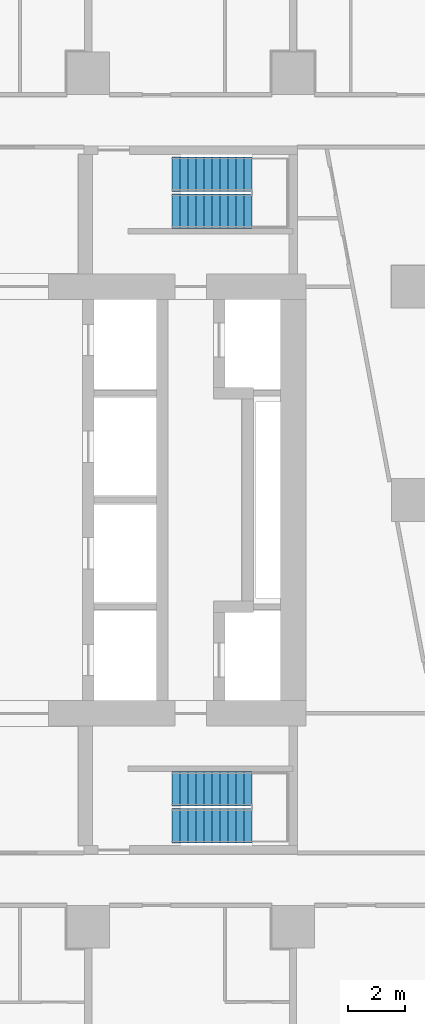
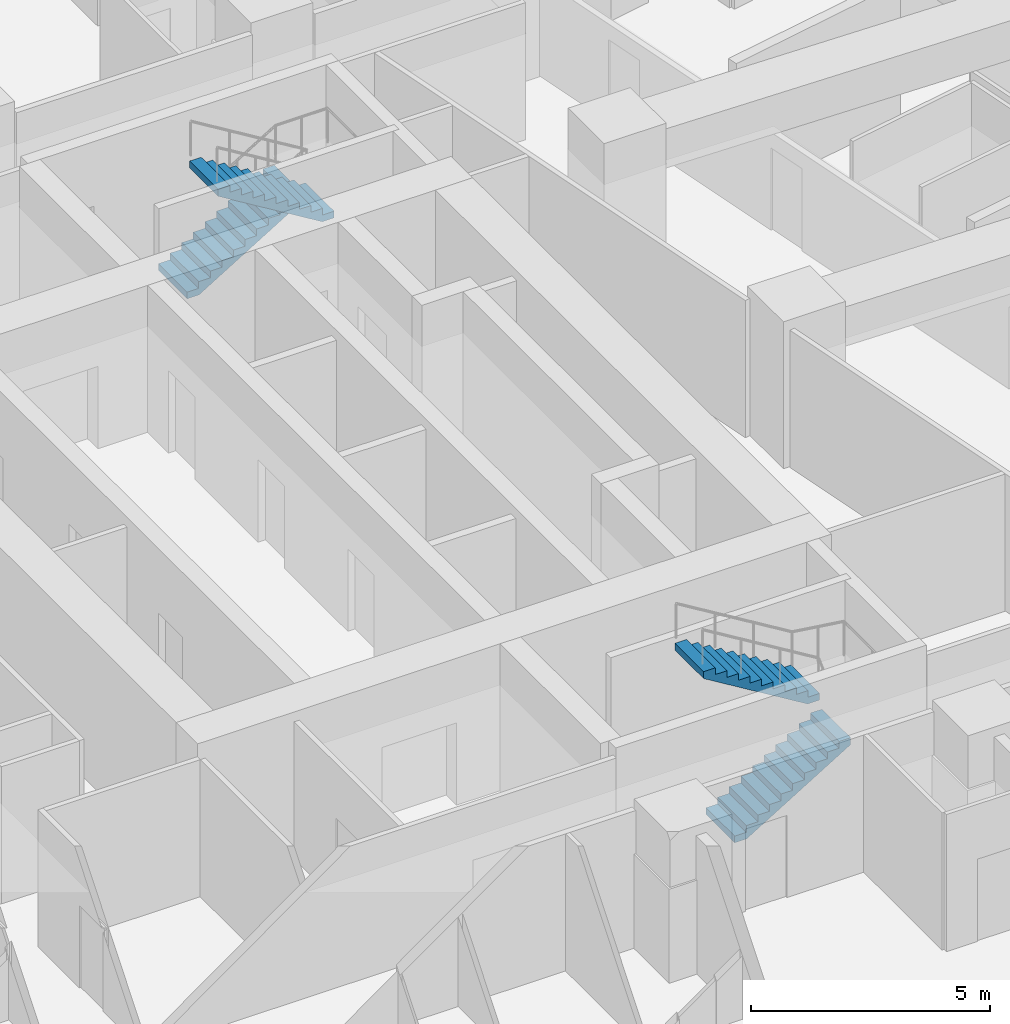
# One storey, part 13 of 15: 4 stair flights, 2 elements without a shape of their own.
"""IFC4 building model written with IfcOpenShell, lengths in metres."""

from ifc_helpers import new_model, si_unit, direction, frame, origin, place, context, subcontext, project, spatial, triangles, material, type_object, element, aggregate, save


model = new_model("IFC4")

# Units and contexts
model_context = context("Model", 3, precision=1e-05, world=origin(), true_north=direction((0.0, 1.0)))
body_context = subcontext(model_context, "Body", "Model", "MODEL_VIEW")
ifc_project = project(units=[si_unit("LENGTHUNIT", "METRE"), si_unit("AREAUNIT", "SQUARE_METRE"), si_unit("VOLUMEUNIT", "CUBIC_METRE"), si_unit("PLANEANGLEUNIT", "RADIAN"), si_unit("MASSUNIT", "GRAM", prefix="KILO")], contexts=[model_context])

# Site, building, storey
site_placement = place(None, origin())
site = spatial("IfcSite", under=ifc_project, at=site_placement, CompositionType="ELEMENT")
building_placement = place(site_placement, origin())
building = spatial("IfcBuilding", under=site, at=building_placement, Name="Sheger Commons Tower", CompositionType="ELEMENT")
storey_placement = place(building_placement, frame((0.0, 0.0, 169.550048828125)))
storey = spatial("IfcBuildingStorey", under=building, at=storey_placement, Name="L43", CompositionType="ELEMENT", Elevation=169.550048828125)

# Stair, stair flights
ifc_material_1 = material(Name="Concrete C35/45", Category="concrete")
stair_type = type_object("IfcStairType", Name="HALF-TURN STAIR 1200 RISE 3750", PredefinedType="HALF_TURN_STAIR", material=ifc_material_1)
stair_1_placement = place(storey_placement, origin())
stair_1 = element("IfcStair", 1, at=stair_1_placement, inside=storey, type_object=stair_type, Name="Stair S1 L43", PredefinedType="HALF_TURN_STAIR")
ifc_material_2 = material(Name="Concrete C35/45", Category="concrete")
stair_flight_type = type_object("IfcStairFlightType", Name="STAIR FLIGHT 1200 11 RISERS OF 170", PredefinedType="STRAIGHT", material=ifc_material_2)
stair_flight_1_placement = place(storey_placement, frame((24.550048828125, 11.050048828125, 0.0), z_axis=(0.0, 0.0, 1.0), x_axis=(1.0, 0.0, 0.0)))
stair_flight_1 = element("IfcStairFlight", 2, at=stair_flight_1_placement, type_object=stair_flight_type, Name="S1 flight 1", NumberOfRisers=11, NumberOfTreads=10, PredefinedType="STRAIGHT", RiserHeight=0.170454545, TreadLength=0.28, context=body_context, shape_type="Tessellation", body=[
    triangles([(0.0, 0.5999755859375, 0.0), (0.0, 0.5999755859375, 0.17041015625), (0.280029296875, 0.5999755859375, 0.17041015625), (0.280029296875, 0.5999755859375, 0.3408203125), (0.56005859375, 0.5999755859375, 0.3408203125), (0.56005859375, 0.5999755859375, 0.511474609375), (0.840087890625, 0.5999755859375, 0.511474609375), (0.840087890625, 0.5999755859375, 0.681884765625), (1.1201171875, 0.5999755859375, 0.681884765625), (1.1201171875, 0.5999755859375, 0.852294921875), (1.39990234375, 0.5999755859375, 0.852294921875), (1.39990234375, 0.5999755859375, 1.022705078125), (1.679931640625, 0.5999755859375, 1.022705078125), (1.679931640625, 0.5999755859375, 1.193115234375), (1.9599609375, 0.5999755859375, 1.193115234375), (1.9599609375, 0.5999755859375, 1.363525390625), (2.239990234375, 0.5999755859375, 1.363525390625), (2.239990234375, 0.5999755859375, 1.5341796875), (2.52001953125, 0.5999755859375, 1.5341796875), (2.52001953125, 0.5999755859375, 1.70458984375), (2.800048828125, 0.5999755859375, 1.70458984375), (2.800048828125, 0.5999755859375, 1.529052734375), (0.288330078125, 0.5999755859375, 0.0), (0.0, -0.5999755859375, 0.0), (0.0, -0.5999755859375, 0.17041015625), (0.280029296875, -0.5999755859375, 0.17041015625), (0.280029296875, -0.5999755859375, 0.3408203125), (0.56005859375, -0.5999755859375, 0.3408203125), (0.56005859375, -0.5999755859375, 0.511474609375), (0.840087890625, -0.5999755859375, 0.511474609375), (0.840087890625, -0.5999755859375, 0.681884765625), (1.1201171875, -0.5999755859375, 0.681884765625), (1.1201171875, -0.5999755859375, 0.852294921875), (1.39990234375, -0.5999755859375, 0.852294921875), (1.39990234375, -0.5999755859375, 1.022705078125), (1.679931640625, -0.5999755859375, 1.022705078125), (1.679931640625, -0.5999755859375, 1.193115234375), (1.9599609375, -0.5999755859375, 1.193115234375), (1.9599609375, -0.5999755859375, 1.363525390625), (2.239990234375, -0.5999755859375, 1.363525390625), (2.239990234375, -0.5999755859375, 1.5341796875), (2.52001953125, -0.5999755859375, 1.5341796875), (2.52001953125, -0.5999755859375, 1.70458984375), (2.800048828125, -0.5999755859375, 1.70458984375), (2.800048828125, -0.5999755859375, 1.529052734375), (0.288330078125, -0.5999755859375, 0.0), (0.0, 0.0, 0.085205078125), (0.1400146484375, 0.0, 0.17041015625), (0.280029296875, 0.0, 0.255615234375), (0.4200439453125, 0.0, 0.3408203125), (0.56005859375, 0.0, 0.4261474609375), (0.7000732421875, 0.0, 0.511474609375), (0.840087890625, 0.0, 0.5966796875), (0.9801025390625, 0.0, 0.681884765625), (1.1201171875, 0.0, 0.76708984375), (1.260009765625, 0.0, 0.852294921875), (1.39990234375, 0.0, 0.9375), (1.5399169921875, 0.0, 1.022705078125), (1.679931640625, 0.0, 1.10791015625), (1.8199462890625, 0.0, 1.193115234375), (1.9599609375, 0.0, 1.2783203125), (2.0999755859375, 0.0, 1.363525390625), (2.239990234375, 0.0, 1.4488525390625), (2.3800048828125, 0.0, 1.5341796875), (2.52001953125, 0.0, 1.619384765625), (2.6600341796875, 0.0, 1.70458984375), (2.800048828125, 0.0, 1.6168212890625), (1.544189453125, 0.0, 0.7645263671875), (0.1441650390625, 0.0, 0.0)], [[1, 22, 23], [24, 46, 45], [22, 20, 21], [45, 44, 43], [22, 19, 20], [45, 43, 42], [22, 18, 19], [45, 42, 41], [22, 17, 18], [45, 41, 40], [17, 15, 16], [40, 39, 38], [22, 15, 17], [45, 40, 38], [15, 13, 14], [38, 37, 36], [22, 13, 15], [45, 38, 36], [13, 11, 12], [36, 35, 34], [22, 11, 13], [45, 36, 34], [11, 9, 10], [34, 33, 32], [22, 9, 11], [45, 34, 32], [9, 7, 8], [32, 31, 30], [22, 7, 9], [45, 32, 30], [7, 5, 6], [30, 29, 28], [22, 5, 7], [45, 30, 28], [5, 3, 4], [28, 27, 26], [22, 3, 5], [45, 28, 26], [1, 3, 22], [24, 45, 26], [3, 1, 2], [26, 25, 24], [1, 47, 2], [2, 47, 25], [25, 47, 24], [24, 47, 1], [2, 48, 3], [3, 48, 26], [26, 48, 25], [25, 48, 2], [3, 49, 4], [4, 49, 27], [27, 49, 26], [26, 49, 3], [4, 50, 5], [5, 50, 28], [28, 50, 27], [27, 50, 4], [5, 51, 6], [6, 51, 29], [29, 51, 28], [28, 51, 5], [6, 52, 7], [7, 52, 30], [30, 52, 29], [29, 52, 6], [7, 53, 8], [8, 53, 31], [31, 53, 30], [30, 53, 7], [8, 54, 9], [9, 54, 32], [32, 54, 31], [31, 54, 8], [9, 55, 10], [10, 55, 33], [33, 55, 32], [32, 55, 9], [10, 56, 11], [11, 56, 34], [34, 56, 33], [33, 56, 10], [11, 57, 12], [12, 57, 35], [35, 57, 34], [34, 57, 11], [12, 58, 13], [13, 58, 36], [36, 58, 35], [35, 58, 12], [13, 59, 14], [14, 59, 37], [37, 59, 36], [36, 59, 13], [14, 60, 15], [15, 60, 38], [38, 60, 37], [37, 60, 14], [15, 61, 16], [16, 61, 39], [39, 61, 38], [38, 61, 15], [16, 62, 17], [17, 62, 40], [40, 62, 39], [39, 62, 16], [17, 63, 18], [18, 63, 41], [41, 63, 40], [40, 63, 17], [18, 64, 19], [19, 64, 42], [42, 64, 41], [41, 64, 18], [19, 65, 20], [20, 65, 43], [43, 65, 42], [42, 65, 19], [20, 66, 21], [21, 66, 44], [44, 66, 43], [43, 66, 20], [21, 67, 22], [22, 67, 45], [45, 67, 44], [44, 67, 21], [22, 68, 23], [23, 68, 46], [46, 68, 45], [45, 68, 22], [23, 69, 1], [1, 69, 24], [24, 69, 46], [46, 69, 23]], closed=True),
])
stair_flight_2_placement = place(storey_placement, frame((27.35009765625, 12.35009765625, 1.875), z_axis=(0.0, 0.0, 1.0), x_axis=(-1.0, 0.0, 0.0)))
stair_flight_2 = element("IfcStairFlight", 3, at=stair_flight_2_placement, type_object=stair_flight_type, Name="S1 flight 2", NumberOfRisers=11, NumberOfTreads=10, PredefinedType="STRAIGHT", RiserHeight=0.170454545, TreadLength=0.28, context=body_context, shape_type="Tessellation", body=[
    triangles([(0.0, 0.5999755859375, 0.0), (0.0, 0.5999755859375, 0.17041015625), (0.280029296875, 0.5999755859375, 0.17041015625), (0.280029296875, 0.5999755859375, 0.3408203125), (0.56005859375, 0.5999755859375, 0.3408203125), (0.56005859375, 0.5999755859375, 0.511474609375), (0.840087890625, 0.5999755859375, 0.511474609375), (0.840087890625, 0.5999755859375, 0.681884765625), (1.1201171875, 0.5999755859375, 0.681884765625), (1.1201171875, 0.5999755859375, 0.852294921875), (1.39990234375, 0.5999755859375, 0.852294921875), (1.39990234375, 0.5999755859375, 1.022705078125), (1.679931640625, 0.5999755859375, 1.022705078125), (1.679931640625, 0.5999755859375, 1.193115234375), (1.9599609375, 0.5999755859375, 1.193115234375), (1.9599609375, 0.5999755859375, 1.363525390625), (2.239990234375, 0.5999755859375, 1.363525390625), (2.239990234375, 0.5999755859375, 1.5341796875), (2.52001953125, 0.5999755859375, 1.5341796875), (2.52001953125, 0.5999755859375, 1.70458984375), (2.800048828125, 0.5999755859375, 1.70458984375), (2.800048828125, 0.5999755859375, 1.529052734375), (0.288330078125, 0.5999755859375, 0.0), (0.0, -0.5999755859375, 0.0), (0.0, -0.5999755859375, 0.17041015625), (0.280029296875, -0.5999755859375, 0.17041015625), (0.280029296875, -0.5999755859375, 0.3408203125), (0.56005859375, -0.5999755859375, 0.3408203125), (0.56005859375, -0.5999755859375, 0.511474609375), (0.840087890625, -0.5999755859375, 0.511474609375), (0.840087890625, -0.5999755859375, 0.681884765625), (1.1201171875, -0.5999755859375, 0.681884765625), (1.1201171875, -0.5999755859375, 0.852294921875), (1.39990234375, -0.5999755859375, 0.852294921875), (1.39990234375, -0.5999755859375, 1.022705078125), (1.679931640625, -0.5999755859375, 1.022705078125), (1.679931640625, -0.5999755859375, 1.193115234375), (1.9599609375, -0.5999755859375, 1.193115234375), (1.9599609375, -0.5999755859375, 1.363525390625), (2.239990234375, -0.5999755859375, 1.363525390625), (2.239990234375, -0.5999755859375, 1.5341796875), (2.52001953125, -0.5999755859375, 1.5341796875), (2.52001953125, -0.5999755859375, 1.70458984375), (2.800048828125, -0.5999755859375, 1.70458984375), (2.800048828125, -0.5999755859375, 1.529052734375), (0.288330078125, -0.5999755859375, 0.0), (0.0, 0.0, 0.085205078125), (0.1400146484375, 0.0, 0.17041015625), (0.280029296875, 0.0, 0.255615234375), (0.4200439453125, 0.0, 0.3408203125), (0.56005859375, 0.0, 0.4261474609375), (0.7000732421875, 0.0, 0.511474609375), (0.840087890625, 0.0, 0.5966796875), (0.9801025390625, 0.0, 0.681884765625), (1.1201171875, 0.0, 0.76708984375), (1.260009765625, 0.0, 0.852294921875), (1.39990234375, 0.0, 0.9375), (1.5399169921875, 0.0, 1.022705078125), (1.679931640625, 0.0, 1.10791015625), (1.8199462890625, 0.0, 1.193115234375), (1.9599609375, 0.0, 1.2783203125), (2.0999755859375, 0.0, 1.363525390625), (2.239990234375, 0.0, 1.4488525390625), (2.3800048828125, 0.0, 1.5341796875), (2.52001953125, 0.0, 1.619384765625), (2.6600341796875, 0.0, 1.70458984375), (2.800048828125, 0.0, 1.6168212890625), (1.544189453125, 0.0, 0.7645263671875), (0.1441650390625, 0.0, 0.0)], [[1, 22, 23], [24, 46, 45], [22, 20, 21], [45, 44, 43], [22, 19, 20], [45, 43, 42], [22, 18, 19], [45, 42, 41], [22, 17, 18], [45, 41, 40], [17, 15, 16], [40, 39, 38], [22, 15, 17], [45, 40, 38], [15, 13, 14], [38, 37, 36], [22, 13, 15], [45, 38, 36], [13, 11, 12], [36, 35, 34], [22, 11, 13], [45, 36, 34], [11, 9, 10], [34, 33, 32], [22, 9, 11], [45, 34, 32], [9, 7, 8], [32, 31, 30], [22, 7, 9], [45, 32, 30], [7, 5, 6], [30, 29, 28], [22, 5, 7], [45, 30, 28], [5, 3, 4], [28, 27, 26], [22, 3, 5], [45, 28, 26], [1, 3, 22], [24, 45, 26], [3, 1, 2], [26, 25, 24], [1, 47, 2], [2, 47, 25], [25, 47, 24], [24, 47, 1], [2, 48, 3], [3, 48, 26], [26, 48, 25], [25, 48, 2], [3, 49, 4], [4, 49, 27], [27, 49, 26], [26, 49, 3], [4, 50, 5], [5, 50, 28], [28, 50, 27], [27, 50, 4], [5, 51, 6], [6, 51, 29], [29, 51, 28], [28, 51, 5], [6, 52, 7], [7, 52, 30], [30, 52, 29], [29, 52, 6], [7, 53, 8], [8, 53, 31], [31, 53, 30], [30, 53, 7], [8, 54, 9], [9, 54, 32], [32, 54, 31], [31, 54, 8], [9, 55, 10], [10, 55, 33], [33, 55, 32], [32, 55, 9], [10, 56, 11], [11, 56, 34], [34, 56, 33], [33, 56, 10], [11, 57, 12], [12, 57, 35], [35, 57, 34], [34, 57, 11], [12, 58, 13], [13, 58, 36], [36, 58, 35], [35, 58, 12], [13, 59, 14], [14, 59, 37], [37, 59, 36], [36, 59, 13], [14, 60, 15], [15, 60, 38], [38, 60, 37], [37, 60, 14], [15, 61, 16], [16, 61, 39], [39, 61, 38], [38, 61, 15], [16, 62, 17], [17, 62, 40], [40, 62, 39], [39, 62, 16], [17, 63, 18], [18, 63, 41], [41, 63, 40], [40, 63, 17], [18, 64, 19], [19, 64, 42], [42, 64, 41], [41, 64, 18], [19, 65, 20], [20, 65, 43], [43, 65, 42], [42, 65, 19], [20, 66, 21], [21, 66, 44], [44, 66, 43], [43, 66, 20], [21, 67, 22], [22, 67, 45], [45, 67, 44], [44, 67, 21], [22, 68, 23], [23, 68, 46], [46, 68, 45], [45, 68, 22], [23, 69, 1], [1, 69, 24], [24, 69, 46], [46, 69, 23]], closed=True),
])
aggregate(stair_1, [stair_flight_1, stair_flight_2])

stair_2_placement = place(storey_placement, origin())
stair_2 = element("IfcStair", 4, at=stair_2_placement, inside=storey, type_object=stair_type, Name="Stair S2 L43", PredefinedType="HALF_TURN_STAIR")
stair_flight_3_placement = place(storey_placement, frame((24.550048828125, 33.949951171875, 0.0), z_axis=(0.0, 0.0, 1.0), x_axis=(1.0, 0.0, 0.0)))
stair_flight_3 = element("IfcStairFlight", 5, at=stair_flight_3_placement, type_object=stair_flight_type, Name="S2 flight 1", NumberOfRisers=11, NumberOfTreads=10, PredefinedType="STRAIGHT", RiserHeight=0.170454545, TreadLength=0.28, context=body_context, shape_type="Tessellation", body=[
    triangles([(0.0, 0.5999755859375, 0.0), (0.0, 0.5999755859375, 0.17041015625), (0.280029296875, 0.5999755859375, 0.17041015625), (0.280029296875, 0.5999755859375, 0.3408203125), (0.56005859375, 0.5999755859375, 0.3408203125), (0.56005859375, 0.5999755859375, 0.511474609375), (0.840087890625, 0.5999755859375, 0.511474609375), (0.840087890625, 0.5999755859375, 0.681884765625), (1.1201171875, 0.5999755859375, 0.681884765625), (1.1201171875, 0.5999755859375, 0.852294921875), (1.39990234375, 0.5999755859375, 0.852294921875), (1.39990234375, 0.5999755859375, 1.022705078125), (1.679931640625, 0.5999755859375, 1.022705078125), (1.679931640625, 0.5999755859375, 1.193115234375), (1.9599609375, 0.5999755859375, 1.193115234375), (1.9599609375, 0.5999755859375, 1.363525390625), (2.239990234375, 0.5999755859375, 1.363525390625), (2.239990234375, 0.5999755859375, 1.5341796875), (2.52001953125, 0.5999755859375, 1.5341796875), (2.52001953125, 0.5999755859375, 1.70458984375), (2.800048828125, 0.5999755859375, 1.70458984375), (2.800048828125, 0.5999755859375, 1.529052734375), (0.288330078125, 0.5999755859375, 0.0), (0.0, -0.5999755859375, 0.0), (0.0, -0.5999755859375, 0.17041015625), (0.280029296875, -0.5999755859375, 0.17041015625), (0.280029296875, -0.5999755859375, 0.3408203125), (0.56005859375, -0.5999755859375, 0.3408203125), (0.56005859375, -0.5999755859375, 0.511474609375), (0.840087890625, -0.5999755859375, 0.511474609375), (0.840087890625, -0.5999755859375, 0.681884765625), (1.1201171875, -0.5999755859375, 0.681884765625), (1.1201171875, -0.5999755859375, 0.852294921875), (1.39990234375, -0.5999755859375, 0.852294921875), (1.39990234375, -0.5999755859375, 1.022705078125), (1.679931640625, -0.5999755859375, 1.022705078125), (1.679931640625, -0.5999755859375, 1.193115234375), (1.9599609375, -0.5999755859375, 1.193115234375), (1.9599609375, -0.5999755859375, 1.363525390625), (2.239990234375, -0.5999755859375, 1.363525390625), (2.239990234375, -0.5999755859375, 1.5341796875), (2.52001953125, -0.5999755859375, 1.5341796875), (2.52001953125, -0.5999755859375, 1.70458984375), (2.800048828125, -0.5999755859375, 1.70458984375), (2.800048828125, -0.5999755859375, 1.529052734375), (0.288330078125, -0.5999755859375, 0.0), (0.0, 0.0, 0.085205078125), (0.1400146484375, 0.0, 0.17041015625), (0.280029296875, 0.0, 0.255615234375), (0.4200439453125, 0.0, 0.3408203125), (0.56005859375, 0.0, 0.4261474609375), (0.7000732421875, 0.0, 0.511474609375), (0.840087890625, 0.0, 0.5966796875), (0.9801025390625, 0.0, 0.681884765625), (1.1201171875, 0.0, 0.76708984375), (1.260009765625, 0.0, 0.852294921875), (1.39990234375, 0.0, 0.9375), (1.5399169921875, 0.0, 1.022705078125), (1.679931640625, 0.0, 1.10791015625), (1.8199462890625, 0.0, 1.193115234375), (1.9599609375, 0.0, 1.2783203125), (2.0999755859375, 0.0, 1.363525390625), (2.239990234375, 0.0, 1.4488525390625), (2.3800048828125, 0.0, 1.5341796875), (2.52001953125, 0.0, 1.619384765625), (2.6600341796875, 0.0, 1.70458984375), (2.800048828125, 0.0, 1.6168212890625), (1.544189453125, 0.0, 0.7645263671875), (0.1441650390625, 0.0, 0.0)], [[1, 22, 23], [24, 46, 45], [22, 20, 21], [45, 44, 43], [22, 19, 20], [45, 43, 42], [22, 18, 19], [45, 42, 41], [22, 17, 18], [45, 41, 40], [17, 15, 16], [40, 39, 38], [22, 15, 17], [45, 40, 38], [15, 13, 14], [38, 37, 36], [22, 13, 15], [45, 38, 36], [13, 11, 12], [36, 35, 34], [22, 11, 13], [45, 36, 34], [11, 9, 10], [34, 33, 32], [22, 9, 11], [45, 34, 32], [9, 7, 8], [32, 31, 30], [22, 7, 9], [45, 32, 30], [7, 5, 6], [30, 29, 28], [22, 5, 7], [45, 30, 28], [5, 3, 4], [28, 27, 26], [22, 3, 5], [45, 28, 26], [1, 3, 22], [24, 45, 26], [3, 1, 2], [26, 25, 24], [1, 47, 2], [2, 47, 25], [25, 47, 24], [24, 47, 1], [2, 48, 3], [3, 48, 26], [26, 48, 25], [25, 48, 2], [3, 49, 4], [4, 49, 27], [27, 49, 26], [26, 49, 3], [4, 50, 5], [5, 50, 28], [28, 50, 27], [27, 50, 4], [5, 51, 6], [6, 51, 29], [29, 51, 28], [28, 51, 5], [6, 52, 7], [7, 52, 30], [30, 52, 29], [29, 52, 6], [7, 53, 8], [8, 53, 31], [31, 53, 30], [30, 53, 7], [8, 54, 9], [9, 54, 32], [32, 54, 31], [31, 54, 8], [9, 55, 10], [10, 55, 33], [33, 55, 32], [32, 55, 9], [10, 56, 11], [11, 56, 34], [34, 56, 33], [33, 56, 10], [11, 57, 12], [12, 57, 35], [35, 57, 34], [34, 57, 11], [12, 58, 13], [13, 58, 36], [36, 58, 35], [35, 58, 12], [13, 59, 14], [14, 59, 37], [37, 59, 36], [36, 59, 13], [14, 60, 15], [15, 60, 38], [38, 60, 37], [37, 60, 14], [15, 61, 16], [16, 61, 39], [39, 61, 38], [38, 61, 15], [16, 62, 17], [17, 62, 40], [40, 62, 39], [39, 62, 16], [17, 63, 18], [18, 63, 41], [41, 63, 40], [40, 63, 17], [18, 64, 19], [19, 64, 42], [42, 64, 41], [41, 64, 18], [19, 65, 20], [20, 65, 43], [43, 65, 42], [42, 65, 19], [20, 66, 21], [21, 66, 44], [44, 66, 43], [43, 66, 20], [21, 67, 22], [22, 67, 45], [45, 67, 44], [44, 67, 21], [22, 68, 23], [23, 68, 46], [46, 68, 45], [45, 68, 22], [23, 69, 1], [1, 69, 24], [24, 69, 46], [46, 69, 23]], closed=True),
])
stair_flight_4_placement = place(storey_placement, frame((27.35009765625, 32.64990234375, 1.875), z_axis=(0.0, 0.0, 1.0), x_axis=(-1.0, 0.0, 0.0)))
stair_flight_4 = element("IfcStairFlight", 6, at=stair_flight_4_placement, type_object=stair_flight_type, Name="S2 flight 2", NumberOfRisers=11, NumberOfTreads=10, PredefinedType="STRAIGHT", RiserHeight=0.170454545, TreadLength=0.28, context=body_context, shape_type="Tessellation", body=[
    triangles([(0.0, 0.5999755859375, 0.0), (0.0, 0.5999755859375, 0.17041015625), (0.280029296875, 0.5999755859375, 0.17041015625), (0.280029296875, 0.5999755859375, 0.3408203125), (0.56005859375, 0.5999755859375, 0.3408203125), (0.56005859375, 0.5999755859375, 0.511474609375), (0.840087890625, 0.5999755859375, 0.511474609375), (0.840087890625, 0.5999755859375, 0.681884765625), (1.1201171875, 0.5999755859375, 0.681884765625), (1.1201171875, 0.5999755859375, 0.852294921875), (1.39990234375, 0.5999755859375, 0.852294921875), (1.39990234375, 0.5999755859375, 1.022705078125), (1.679931640625, 0.5999755859375, 1.022705078125), (1.679931640625, 0.5999755859375, 1.193115234375), (1.9599609375, 0.5999755859375, 1.193115234375), (1.9599609375, 0.5999755859375, 1.363525390625), (2.239990234375, 0.5999755859375, 1.363525390625), (2.239990234375, 0.5999755859375, 1.5341796875), (2.52001953125, 0.5999755859375, 1.5341796875), (2.52001953125, 0.5999755859375, 1.70458984375), (2.800048828125, 0.5999755859375, 1.70458984375), (2.800048828125, 0.5999755859375, 1.529052734375), (0.288330078125, 0.5999755859375, 0.0), (0.0, -0.5999755859375, 0.0), (0.0, -0.5999755859375, 0.17041015625), (0.280029296875, -0.5999755859375, 0.17041015625), (0.280029296875, -0.5999755859375, 0.3408203125), (0.56005859375, -0.5999755859375, 0.3408203125), (0.56005859375, -0.5999755859375, 0.511474609375), (0.840087890625, -0.5999755859375, 0.511474609375), (0.840087890625, -0.5999755859375, 0.681884765625), (1.1201171875, -0.5999755859375, 0.681884765625), (1.1201171875, -0.5999755859375, 0.852294921875), (1.39990234375, -0.5999755859375, 0.852294921875), (1.39990234375, -0.5999755859375, 1.022705078125), (1.679931640625, -0.5999755859375, 1.022705078125), (1.679931640625, -0.5999755859375, 1.193115234375), (1.9599609375, -0.5999755859375, 1.193115234375), (1.9599609375, -0.5999755859375, 1.363525390625), (2.239990234375, -0.5999755859375, 1.363525390625), (2.239990234375, -0.5999755859375, 1.5341796875), (2.52001953125, -0.5999755859375, 1.5341796875), (2.52001953125, -0.5999755859375, 1.70458984375), (2.800048828125, -0.5999755859375, 1.70458984375), (2.800048828125, -0.5999755859375, 1.529052734375), (0.288330078125, -0.5999755859375, 0.0), (0.0, 0.0, 0.085205078125), (0.1400146484375, 0.0, 0.17041015625), (0.280029296875, 0.0, 0.255615234375), (0.4200439453125, 0.0, 0.3408203125), (0.56005859375, 0.0, 0.4261474609375), (0.7000732421875, 0.0, 0.511474609375), (0.840087890625, 0.0, 0.5966796875), (0.9801025390625, 0.0, 0.681884765625), (1.1201171875, 0.0, 0.76708984375), (1.260009765625, 0.0, 0.852294921875), (1.39990234375, 0.0, 0.9375), (1.5399169921875, 0.0, 1.022705078125), (1.679931640625, 0.0, 1.10791015625), (1.8199462890625, 0.0, 1.193115234375), (1.9599609375, 0.0, 1.2783203125), (2.0999755859375, 0.0, 1.363525390625), (2.239990234375, 0.0, 1.4488525390625), (2.3800048828125, 0.0, 1.5341796875), (2.52001953125, 0.0, 1.619384765625), (2.6600341796875, 0.0, 1.70458984375), (2.800048828125, 0.0, 1.6168212890625), (1.544189453125, 0.0, 0.7645263671875), (0.1441650390625, 0.0, 0.0)], [[1, 22, 23], [24, 46, 45], [22, 20, 21], [45, 44, 43], [22, 19, 20], [45, 43, 42], [22, 18, 19], [45, 42, 41], [22, 17, 18], [45, 41, 40], [17, 15, 16], [40, 39, 38], [22, 15, 17], [45, 40, 38], [15, 13, 14], [38, 37, 36], [22, 13, 15], [45, 38, 36], [13, 11, 12], [36, 35, 34], [22, 11, 13], [45, 36, 34], [11, 9, 10], [34, 33, 32], [22, 9, 11], [45, 34, 32], [9, 7, 8], [32, 31, 30], [22, 7, 9], [45, 32, 30], [7, 5, 6], [30, 29, 28], [22, 5, 7], [45, 30, 28], [5, 3, 4], [28, 27, 26], [22, 3, 5], [45, 28, 26], [1, 3, 22], [24, 45, 26], [3, 1, 2], [26, 25, 24], [1, 47, 2], [2, 47, 25], [25, 47, 24], [24, 47, 1], [2, 48, 3], [3, 48, 26], [26, 48, 25], [25, 48, 2], [3, 49, 4], [4, 49, 27], [27, 49, 26], [26, 49, 3], [4, 50, 5], [5, 50, 28], [28, 50, 27], [27, 50, 4], [5, 51, 6], [6, 51, 29], [29, 51, 28], [28, 51, 5], [6, 52, 7], [7, 52, 30], [30, 52, 29], [29, 52, 6], [7, 53, 8], [8, 53, 31], [31, 53, 30], [30, 53, 7], [8, 54, 9], [9, 54, 32], [32, 54, 31], [31, 54, 8], [9, 55, 10], [10, 55, 33], [33, 55, 32], [32, 55, 9], [10, 56, 11], [11, 56, 34], [34, 56, 33], [33, 56, 10], [11, 57, 12], [12, 57, 35], [35, 57, 34], [34, 57, 11], [12, 58, 13], [13, 58, 36], [36, 58, 35], [35, 58, 12], [13, 59, 14], [14, 59, 37], [37, 59, 36], [36, 59, 13], [14, 60, 15], [15, 60, 38], [38, 60, 37], [37, 60, 14], [15, 61, 16], [16, 61, 39], [39, 61, 38], [38, 61, 15], [16, 62, 17], [17, 62, 40], [40, 62, 39], [39, 62, 16], [17, 63, 18], [18, 63, 41], [41, 63, 40], [40, 63, 17], [18, 64, 19], [19, 64, 42], [42, 64, 41], [41, 64, 18], [19, 65, 20], [20, 65, 43], [43, 65, 42], [42, 65, 19], [20, 66, 21], [21, 66, 44], [44, 66, 43], [43, 66, 20], [21, 67, 22], [22, 67, 45], [45, 67, 44], [44, 67, 21], [22, 68, 23], [23, 68, 46], [46, 68, 45], [45, 68, 22], [23, 69, 1], [1, 69, 24], [24, 69, 46], [46, 69, 23]], closed=True),
])
aggregate(stair_2, [stair_flight_3, stair_flight_4])

save(model, "model.ifc")
